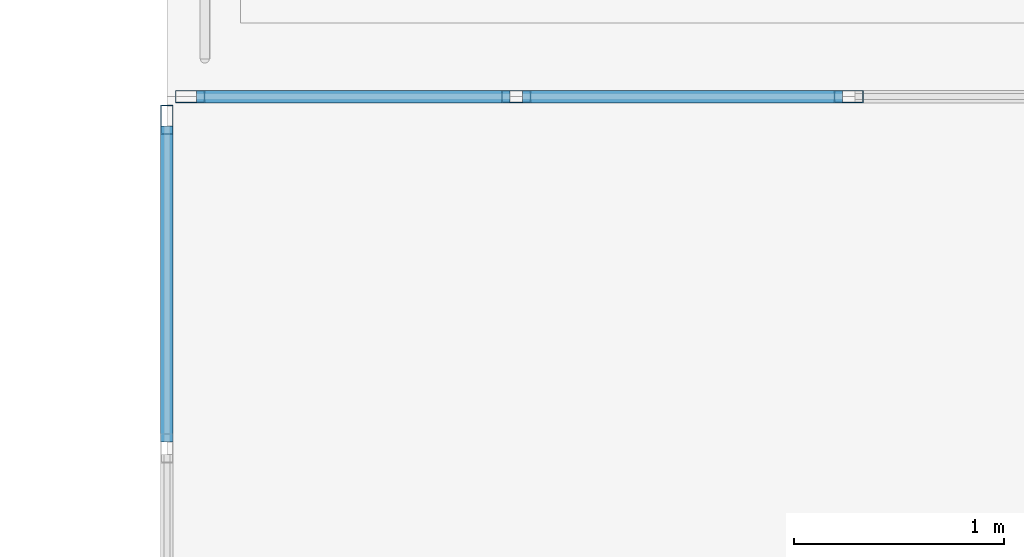
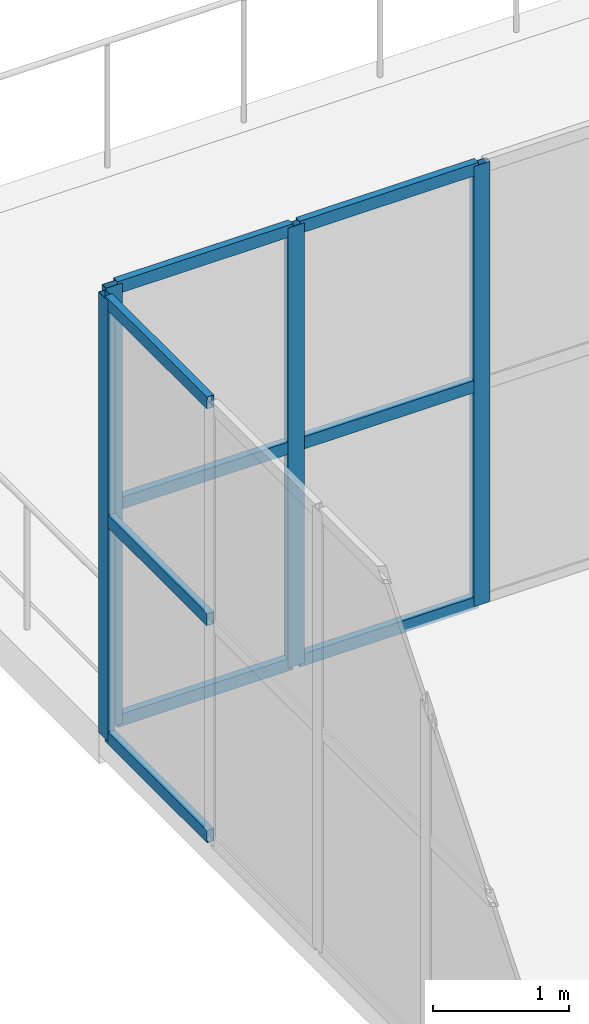
# One storey, part 46 of 90: 13 members, 2 elements without a shape of their own.
"""IFC4 building model written with IfcOpenShell, lengths in metres."""

from ifc_helpers import new_model, si_unit, direction, frame, origin, origin_2d, place, context, subcontext, project, spatial, hollow_rectangle, extrude, material, layer, layer_set, material_profile, profile_set, type_object, element, aggregate, save


model = new_model("IFC4")

# Units and contexts
model_context = context("Model", 3, precision=1e-05, world=origin(), true_north=direction((0.0, 1.0)))
body_context = subcontext(model_context, "Body", "Model", "MODEL_VIEW")
ifc_project = project(units=[si_unit("LENGTHUNIT", "METRE"), si_unit("AREAUNIT", "SQUARE_METRE"), si_unit("VOLUMEUNIT", "CUBIC_METRE"), si_unit("PLANEANGLEUNIT", "RADIAN"), si_unit("MASSUNIT", "GRAM", prefix="KILO")], contexts=[model_context])

# Site, building, storey
site_placement = place(None, origin())
site = spatial("IfcSite", under=ifc_project, at=site_placement, CompositionType="ELEMENT")
building_placement = place(site_placement, origin())
building = spatial("IfcBuilding", under=site, at=building_placement, Name="Trelvath General Hospital", CompositionType="ELEMENT")
storey_placement = place(building_placement, frame((0.0, 0.0, 20.39990234375)))
storey = spatial("IfcBuildingStorey", under=building, at=storey_placement, Name="L05", CompositionType="ELEMENT", Elevation=20.39990234375)

# Curtain wall, members
ifc_material_1 = material(Name="Anodised aluminium and low-E glass", Category="aluminium")
ifc_layer_1 = layer(ifc_material_1, 0.14990234375)
ifc_layer_set_1 = layer_set([ifc_layer_1], Name="Anodised aluminium and low-E glass")
curtain_wall_type_1 = type_object("IfcCurtainWallType", Name="CW CrystalCube 790 396 15", PredefinedType="USERDEFINED", material=ifc_layer_set_1)
curtain_wall_1_placement = place(storey_placement, origin())
curtain_wall_1 = element("IfcCurtainWall", 1, at=curtain_wall_1_placement, inside=storey, type_object=curtain_wall_type_1, Name="Crystal Cube Curtain Wall CUBE-E-T2 N1 L05", ObjectType="Unitised Glazed Curtain Wall", PredefinedType="USERDEFINED")
ifc_material_2 = material(Name="Anodised aluminium", Category="aluminium")
ifc_material_profile_1 = material_profile(ifc_material_2, hollow_rectangle(XDim=0.06005859375, YDim=0.139892578125, WallThickness=0.00390625, at=origin_2d()), Name="RHS60x140x4")
ifc_profile_set_1 = profile_set([ifc_material_profile_1], Name="Anodised aluminium")
member_type_1 = type_object("IfcMemberType", Name="CurtainMullion 60x140", PredefinedType="MULLION", material=ifc_profile_set_1)
member_1_placement = place(storey_placement, frame((92.510009765625, 74.0, 0.0), z_axis=(0.0, 0.0, 1.0), x_axis=(0.0, 1.0, 0.0)))
member_1 = element("IfcMember", 2, at=member_1_placement, type_object=member_type_1, Name="CW-317 mullion 1", PredefinedType="MULLION", context=body_context, shape_type="SweptSolid", body=[
    extrude(hollow_rectangle(XDim=0.06005859375, YDim=0.139892578125, WallThickness=0.00390625, at=origin_2d()), origin(), (0.0, 0.0, 1.0), 3.960205078125),
])
member_2_placement = place(storey_placement, frame((94.06005859375, 74.0, 0.0), z_axis=(0.0, 0.0, 1.0), x_axis=(0.0, 1.0, 0.0)))
member_2 = element("IfcMember", 3, at=member_2_placement, type_object=member_type_1, Name="CW-317 mullion 2", PredefinedType="MULLION", context=body_context, shape_type="SweptSolid", body=[
    extrude(hollow_rectangle(XDim=0.06005859375, YDim=0.139892578125, WallThickness=0.00390625, at=origin_2d()), origin(), (0.0, 0.0, 1.0), 3.960205078125),
])
member_3_placement = place(storey_placement, frame((95.639892578125, 74.0, 0.0), z_axis=(0.0, 0.0, 1.0), x_axis=(0.0, 1.0, 0.0)))
member_3 = element("IfcMember", 4, at=member_3_placement, type_object=member_type_1, Name="CW-317 mullion 3", PredefinedType="MULLION", context=body_context, shape_type="SweptSolid", body=[
    extrude(hollow_rectangle(XDim=0.06005859375, YDim=0.139892578125, WallThickness=0.00390625, at=origin_2d()), origin(), (0.0, 0.0, 1.0), 3.960205078125),
])

# Curtain wall, member
ifc_material_3 = material(Name="Anodised aluminium and low-E glass", Category="aluminium")
ifc_layer_2 = layer(ifc_material_3, 0.14990234375)
ifc_layer_set_2 = layer_set([ifc_layer_2], Name="Anodised aluminium and low-E glass")
curtain_wall_type_2 = type_object("IfcCurtainWallType", Name="CW CrystalCube 636 396 15", PredefinedType="USERDEFINED", material=ifc_layer_set_2)
curtain_wall_2_placement = place(storey_placement, origin())
curtain_wall_2 = element("IfcCurtainWall", 5, at=curtain_wall_2_placement, inside=storey, type_object=curtain_wall_type_2, Name="Crystal Cube Curtain Wall CUBE-E-T2 W5 L05", ObjectType="Unitised Glazed Curtain Wall", PredefinedType="USERDEFINED")
member_4_placement = place(storey_placement, frame((92.39990234375, 73.889892578125, 0.0), z_axis=(0.0, 0.0, 1.0), x_axis=(-1.0, 0.0, 0.0)))
member_4 = element("IfcMember", 6, at=member_4_placement, type_object=member_type_1, Name="CW-323 mullion 5", PredefinedType="MULLION", context=body_context, shape_type="SweptSolid", body=[
    extrude(hollow_rectangle(XDim=0.06005859375, YDim=0.139892578125, WallThickness=0.00390625, at=origin_2d()), origin(), (0.0, 0.0, 1.0), 3.960205078125),
])

# Member
ifc_material_4 = material(Name="Anodised aluminium", Category="aluminium")
ifc_material_profile_2 = material_profile(ifc_material_4, hollow_rectangle(XDim=0.06005859375, YDim=0.110107421875, WallThickness=0.00390625, at=origin_2d()), Name="RHS60x110x4")
ifc_profile_set_2 = profile_set([ifc_material_profile_2], Name="Anodised aluminium")
member_type_2 = type_object("IfcMemberType", Name="CurtainTransom 60x110", PredefinedType="USERDEFINED", material=ifc_profile_set_2)
member_5_placement = place(storey_placement, frame((92.5400390625, 74.0, 0.030029296875), z_axis=(1.0, 0.0, 0.0), x_axis=(0.0, 1.0, 0.0)))
member_5 = element("IfcMember", 7, at=member_5_placement, type_object=member_type_2, Name="CW-317 transom 1.1", ObjectType="TRANSOM", PredefinedType="USERDEFINED", context=body_context, shape_type="SweptSolid", body=[
    extrude(hollow_rectangle(XDim=0.06005859375, YDim=0.110107421875, WallThickness=0.00390625, at=origin_2d()), origin(), (0.0, 0.0, 1.0), 1.489990234375),
])

member_6_placement = place(storey_placement, frame((92.5400390625, 74.0, 1.97998046875), z_axis=(1.0, 0.0, 0.0), x_axis=(0.0, 1.0, 0.0)))
member_6 = element("IfcMember", 8, at=member_6_placement, type_object=member_type_2, Name="CW-317 transom 1.2", ObjectType="TRANSOM", PredefinedType="USERDEFINED", context=body_context, shape_type="SweptSolid", body=[
    extrude(hollow_rectangle(XDim=0.06005859375, YDim=0.110107421875, WallThickness=0.00390625, at=origin_2d()), origin(), (0.0, 0.0, 1.0), 1.489990234375),
])

member_7_placement = place(storey_placement, frame((92.5400390625, 74.0, 3.93017578125), z_axis=(1.0, 0.0, 0.0), x_axis=(0.0, 1.0, 0.0)))
member_7 = element("IfcMember", 9, at=member_7_placement, type_object=member_type_2, Name="CW-317 transom 1.3", ObjectType="TRANSOM", PredefinedType="USERDEFINED", context=body_context, shape_type="SweptSolid", body=[
    extrude(hollow_rectangle(XDim=0.06005859375, YDim=0.110107421875, WallThickness=0.00390625, at=origin_2d()), origin(), (0.0, 0.0, 1.0), 1.489990234375),
])

member_8_placement = place(storey_placement, frame((94.090087890625, 74.0, 0.030029296875), z_axis=(1.0, 0.0, 0.0), x_axis=(0.0, 1.0, 0.0)))
member_8 = element("IfcMember", 10, at=member_8_placement, type_object=member_type_2, Name="CW-317 transom 2.1", ObjectType="TRANSOM", PredefinedType="USERDEFINED", context=body_context, shape_type="SweptSolid", body=[
    extrude(hollow_rectangle(XDim=0.06005859375, YDim=0.110107421875, WallThickness=0.00390625, at=origin_2d()), origin(), (0.0, 0.0, 1.0), 1.52001953125),
])

member_9_placement = place(storey_placement, frame((94.090087890625, 74.0, 1.97998046875), z_axis=(1.0, 0.0, 0.0), x_axis=(0.0, 1.0, 0.0)))
member_9 = element("IfcMember", 11, at=member_9_placement, type_object=member_type_2, Name="CW-317 transom 2.2", ObjectType="TRANSOM", PredefinedType="USERDEFINED", context=body_context, shape_type="SweptSolid", body=[
    extrude(hollow_rectangle(XDim=0.06005859375, YDim=0.110107421875, WallThickness=0.00390625, at=origin_2d()), origin(), (0.0, 0.0, 1.0), 1.52001953125),
])

member_10_placement = place(storey_placement, frame((94.090087890625, 74.0, 3.93017578125), z_axis=(1.0, 0.0, 0.0), x_axis=(0.0, 1.0, 0.0)))
member_10 = element("IfcMember", 12, at=member_10_placement, type_object=member_type_2, Name="CW-317 transom 2.3", ObjectType="TRANSOM", PredefinedType="USERDEFINED", context=body_context, shape_type="SweptSolid", body=[
    extrude(hollow_rectangle(XDim=0.06005859375, YDim=0.110107421875, WallThickness=0.00390625, at=origin_2d()), origin(), (0.0, 0.0, 1.0), 1.52001953125),
])

aggregate(curtain_wall_1, [member_1, member_2, member_3, member_5, member_6, member_7, member_8, member_9, member_10])

member_11_placement = place(storey_placement, frame((92.39990234375, 72.358642578125, 0.030029296875), z_axis=(0.0, 1.0, 0.0), x_axis=(-1.0, 0.0, 0.0)))
member_11 = element("IfcMember", 13, at=member_11_placement, type_object=member_type_2, Name="CW-323 transom 4.1", ObjectType="TRANSOM", PredefinedType="USERDEFINED", context=body_context, shape_type="SweptSolid", body=[
    extrude(hollow_rectangle(XDim=0.06005859375, YDim=0.110107421875, WallThickness=0.00390625, at=origin_2d()), origin(), (0.0, 0.0, 1.0), 1.50146484375),
])

member_12_placement = place(storey_placement, frame((92.39990234375, 72.358642578125, 1.97998046875), z_axis=(0.0, 1.0, 0.0), x_axis=(-1.0, 0.0, 0.0)))
member_12 = element("IfcMember", 14, at=member_12_placement, type_object=member_type_2, Name="CW-323 transom 4.2", ObjectType="TRANSOM", PredefinedType="USERDEFINED", context=body_context, shape_type="SweptSolid", body=[
    extrude(hollow_rectangle(XDim=0.06005859375, YDim=0.110107421875, WallThickness=0.00390625, at=origin_2d()), origin(), (0.0, 0.0, 1.0), 1.50146484375),
])

member_13_placement = place(storey_placement, frame((92.39990234375, 72.358642578125, 3.93017578125), z_axis=(0.0, 1.0, 0.0), x_axis=(-1.0, 0.0, 0.0)))
member_13 = element("IfcMember", 15, at=member_13_placement, type_object=member_type_2, Name="CW-323 transom 4.3", ObjectType="TRANSOM", PredefinedType="USERDEFINED", context=body_context, shape_type="SweptSolid", body=[
    extrude(hollow_rectangle(XDim=0.06005859375, YDim=0.110107421875, WallThickness=0.00390625, at=origin_2d()), origin(), (0.0, 0.0, 1.0), 1.50146484375),
])

aggregate(curtain_wall_2, [member_4, member_11, member_12, member_13])

save(model, "model.ifc")
